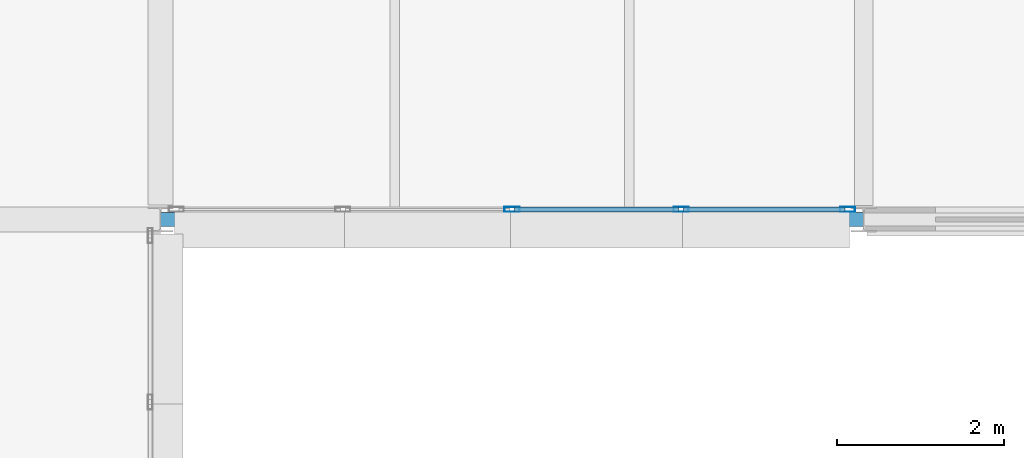
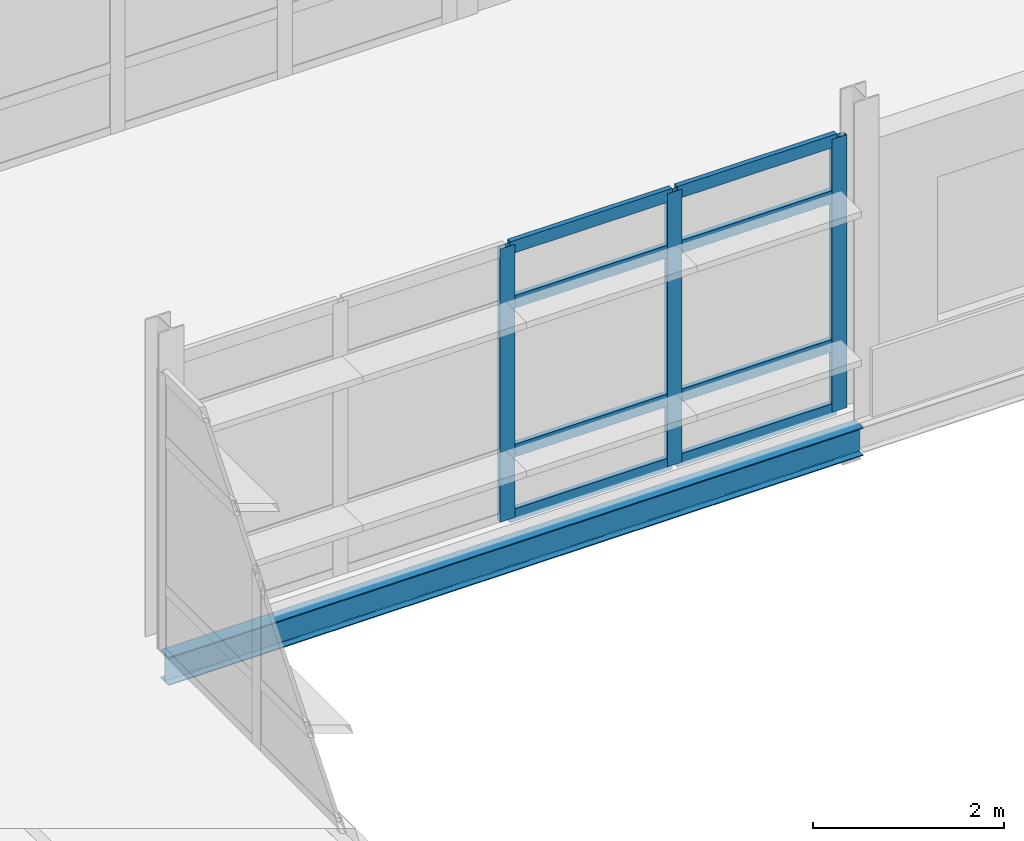
# One storey, part 15 of 103: 11 members, 1 beam, 1 element without a shape of its own.
"""IFC4 building model written with IfcOpenShell, lengths in metres."""

from ifc_helpers import new_model, si_unit, direction, frame, origin, origin_2d, place, context, subcontext, project, spatial, hollow_rectangle, i_section, extrude, material, material_profile, profile_set, type_object, element, aggregate, save


model = new_model("IFC4")

# Units and contexts
model_context = context("Model", 3, precision=1e-05, world=origin(), true_north=direction((0.0, 1.0)))
body_context = subcontext(model_context, "Body", "Model", "MODEL_VIEW")
ifc_project = project(units=[si_unit("LENGTHUNIT", "METRE"), si_unit("AREAUNIT", "SQUARE_METRE"), si_unit("VOLUMEUNIT", "CUBIC_METRE"), si_unit("PLANEANGLEUNIT", "RADIAN"), si_unit("MASSUNIT", "GRAM", prefix="KILO")], contexts=[model_context])

# Site, building, storey
site_placement = place(None, origin())
site = spatial("IfcSite", under=ifc_project, at=site_placement, CompositionType="ELEMENT")
building_placement = place(site_placement, origin())
building = spatial("IfcBuilding", under=site, at=building_placement, Name="Mersafa Astral City Hall", CompositionType="ELEMENT")
storey_placement = place(building_placement, frame((0.0, 0.0, 18.0)))
storey = spatial("IfcBuildingStorey", under=building, at=storey_placement, Name="L04", CompositionType="ELEMENT", Elevation=18.0)

# Curtain wall, members
ifc_material_1 = material(Name="Anodised bronze aluminium framing", Category="aluminium")
curtain_wall_type = type_object("IfcCurtainWallType", Name="ENV-CW-3", PredefinedType="USERDEFINED", material=ifc_material_1)
curtain_wall_placement = place(storey_placement, origin())
curtain_wall = element("IfcCurtainWall", 1, at=curtain_wall_placement, inside=storey, type_object=curtain_wall_type, Name="L04 Unitised solar curtain wall 200", ObjectType="UNITISED CURTAIN WALL", PredefinedType="USERDEFINED")
ifc_material_profile_1 = material_profile(ifc_material_1, hollow_rectangle(XDim=0.06005859375, YDim=0.179931640625, WallThickness=0.00390625, at=origin_2d()), Name="RHS 60x180x4")
ifc_profile_set_1 = profile_set([ifc_material_profile_1], Name="Anodised bronze aluminium framing")
member_type_1 = type_object("IfcMemberType", Name="ENV-CW-MUL-1", PredefinedType="MULLION", material=ifc_profile_set_1)
member_1_placement = place(storey_placement, frame((29.39990234375, 92.52001953125, -0.001953125), z_axis=(0.0, 0.0, 1.0), x_axis=(0.0, 1.0, 0.0)))
member_1 = element("IfcMember", 2, at=member_1_placement, type_object=member_type_1, Name="CW-3 mullion 3", PredefinedType="MULLION", context=body_context, shape_type="SweptSolid", body=[
    extrude(hollow_rectangle(XDim=0.06005859375, YDim=0.179931640625, WallThickness=0.00390625, at=origin_2d()), origin(), (0.0, 0.0, 1.0), 3.489013671875),
])
member_2_placement = place(storey_placement, frame((31.4189453125, 92.52001953125, -0.001953125), z_axis=(0.0, 0.0, 1.0), x_axis=(0.0, 1.0, 0.0)))
member_2 = element("IfcMember", 3, at=member_2_placement, type_object=member_type_1, Name="CW-3 mullion 4", PredefinedType="MULLION", context=body_context, shape_type="SweptSolid", body=[
    extrude(hollow_rectangle(XDim=0.06005859375, YDim=0.179931640625, WallThickness=0.00390625, at=origin_2d()), origin(), (0.0, 0.0, 1.0), 3.489013671875),
])
member_3_placement = place(storey_placement, frame((33.407958984375, 92.52001953125, -0.001953125), z_axis=(0.0, 0.0, 1.0), x_axis=(0.0, 1.0, 0.0)))
member_3 = element("IfcMember", 4, at=member_3_placement, type_object=member_type_1, Name="CW-3 mullion 5", PredefinedType="MULLION", context=body_context, shape_type="SweptSolid", body=[
    extrude(hollow_rectangle(XDim=0.06005859375, YDim=0.179931640625, WallThickness=0.00390625, at=origin_2d()), origin(), (0.0, 0.0, 1.0), 3.489013671875),
])
ifc_material_profile_2 = material_profile(ifc_material_1, hollow_rectangle(XDim=0.06005859375, YDim=0.159912109375, WallThickness=0.00390625, at=origin_2d()), Name="RHS 60x160x4")
ifc_profile_set_2 = profile_set([ifc_material_profile_2], Name="Anodised bronze aluminium framing")
member_type_2 = type_object("IfcMemberType", Name="ENV-CW-TRN-2", PredefinedType="USERDEFINED", material=ifc_profile_set_2)
member_4_placement = place(storey_placement, frame((29.429931640625, 92.52001953125, 0.028076171875), z_axis=(1.0, 0.0, 0.0), x_axis=(0.0, 1.0, 0.0)))
member_4 = element("IfcMember", 5, at=member_4_placement, type_object=member_type_2, Name="CW-3 transom 3.1", ObjectType="TRANSOM", PredefinedType="USERDEFINED", context=body_context, shape_type="SweptSolid", body=[
    extrude(hollow_rectangle(XDim=0.06005859375, YDim=0.159912109375, WallThickness=0.00390625, at=origin_2d()), origin(), (0.0, 0.0, 1.0), 1.958984375),
])
member_5_placement = place(storey_placement, frame((29.429931640625, 92.52001953125, 0.85009765625), z_axis=(1.0, 0.0, 0.0), x_axis=(0.0, 1.0, 0.0)))
member_5 = element("IfcMember", 6, at=member_5_placement, type_object=member_type_2, Name="CW-3 transom 3.2", ObjectType="TRANSOM", PredefinedType="USERDEFINED", context=body_context, shape_type="SweptSolid", body=[
    extrude(hollow_rectangle(XDim=0.06005859375, YDim=0.159912109375, WallThickness=0.00390625, at=origin_2d()), origin(), (0.0, 0.0, 1.0), 1.958984375),
])
member_6_placement = place(storey_placement, frame((29.429931640625, 92.52001953125, 2.75), z_axis=(1.0, 0.0, 0.0), x_axis=(0.0, 1.0, 0.0)))
member_6 = element("IfcMember", 7, at=member_6_placement, type_object=member_type_2, Name="CW-3 transom 3.3", ObjectType="TRANSOM", PredefinedType="USERDEFINED", context=body_context, shape_type="SweptSolid", body=[
    extrude(hollow_rectangle(XDim=0.06005859375, YDim=0.159912109375, WallThickness=0.00390625, at=origin_2d()), origin(), (0.0, 0.0, 1.0), 1.958984375),
])
member_7_placement = place(storey_placement, frame((29.429931640625, 92.52001953125, 3.45703125), z_axis=(1.0, 0.0, 0.0), x_axis=(0.0, 1.0, 0.0)))
member_7 = element("IfcMember", 8, at=member_7_placement, type_object=member_type_2, Name="CW-3 transom 3.4", ObjectType="TRANSOM", PredefinedType="USERDEFINED", context=body_context, shape_type="SweptSolid", body=[
    extrude(hollow_rectangle(XDim=0.06005859375, YDim=0.159912109375, WallThickness=0.00390625, at=origin_2d()), origin(), (0.0, 0.0, 1.0), 1.958984375),
])
member_8_placement = place(storey_placement, frame((31.448974609375, 92.52001953125, 0.028076171875), z_axis=(1.0, 0.0, 0.0), x_axis=(0.0, 1.0, 0.0)))
member_8 = element("IfcMember", 9, at=member_8_placement, type_object=member_type_2, Name="CW-3 transom 4.1", ObjectType="TRANSOM", PredefinedType="USERDEFINED", context=body_context, shape_type="SweptSolid", body=[
    extrude(hollow_rectangle(XDim=0.06005859375, YDim=0.159912109375, WallThickness=0.00390625, at=origin_2d()), origin(), (0.0, 0.0, 1.0), 1.928955078125),
])
member_9_placement = place(storey_placement, frame((31.448974609375, 92.52001953125, 0.85009765625), z_axis=(1.0, 0.0, 0.0), x_axis=(0.0, 1.0, 0.0)))
member_9 = element("IfcMember", 10, at=member_9_placement, type_object=member_type_2, Name="CW-3 transom 4.2", ObjectType="TRANSOM", PredefinedType="USERDEFINED", context=body_context, shape_type="SweptSolid", body=[
    extrude(hollow_rectangle(XDim=0.06005859375, YDim=0.159912109375, WallThickness=0.00390625, at=origin_2d()), origin(), (0.0, 0.0, 1.0), 1.928955078125),
])
member_10_placement = place(storey_placement, frame((31.448974609375, 92.52001953125, 2.75), z_axis=(1.0, 0.0, 0.0), x_axis=(0.0, 1.0, 0.0)))
member_10 = element("IfcMember", 11, at=member_10_placement, type_object=member_type_2, Name="CW-3 transom 4.3", ObjectType="TRANSOM", PredefinedType="USERDEFINED", context=body_context, shape_type="SweptSolid", body=[
    extrude(hollow_rectangle(XDim=0.06005859375, YDim=0.159912109375, WallThickness=0.00390625, at=origin_2d()), origin(), (0.0, 0.0, 1.0), 1.928955078125),
])
member_11_placement = place(storey_placement, frame((31.448974609375, 92.52001953125, 3.45703125), z_axis=(1.0, 0.0, 0.0), x_axis=(0.0, 1.0, 0.0)))
member_11 = element("IfcMember", 12, at=member_11_placement, type_object=member_type_2, Name="CW-3 transom 4.4", ObjectType="TRANSOM", PredefinedType="USERDEFINED", context=body_context, shape_type="SweptSolid", body=[
    extrude(hollow_rectangle(XDim=0.06005859375, YDim=0.159912109375, WallThickness=0.00390625, at=origin_2d()), origin(), (0.0, 0.0, 1.0), 1.928955078125),
])
aggregate(curtain_wall, [member_1, member_2, member_3, member_4, member_5, member_6, member_7, member_8, member_9, member_10, member_11])

# Beam
ifc_material_2 = material(Name="Steel S355", Category="steel")
ifc_material_profile_3 = material_profile(ifc_material_2, i_section(OverallWidth=0.169921875, OverallDepth=0.360107421875, WebThickness=0.008056640625, FlangeThickness=0.0126953125, FilletRadius=0.01806640625, at=origin_2d()), Name="IPE 360")
ifc_profile_set_3 = profile_set([ifc_material_profile_3], Name="Steel S355")
beam_type = type_object("IfcBeamType", Name="STR-BM-SPANDREL-IPE360", PredefinedType="SPANDREL", material=ifc_profile_set_3)
beam_placement = place(storey_placement, frame((25.202880859375, 92.39990234375, -0.364990234375), z_axis=(1.0, 0.0, 0.0), x_axis=(0.0, 1.0, 0.0)))
element("IfcBeam", 13, at=beam_placement, inside=storey, type_object=beam_type, Name="L04 Primary girder X 3-11", PredefinedType="SPANDREL", context=body_context, shape_type="SweptSolid", body=[
    extrude(i_section(OverallWidth=0.169921875, OverallDepth=0.360107421875, WebThickness=0.008056640625, FlangeThickness=0.0126953125, FilletRadius=0.01806640625, at=origin_2d()), origin(), (0.0, 0.0, 1.0), 8.39404296875),
])

save(model, "model.ifc")
